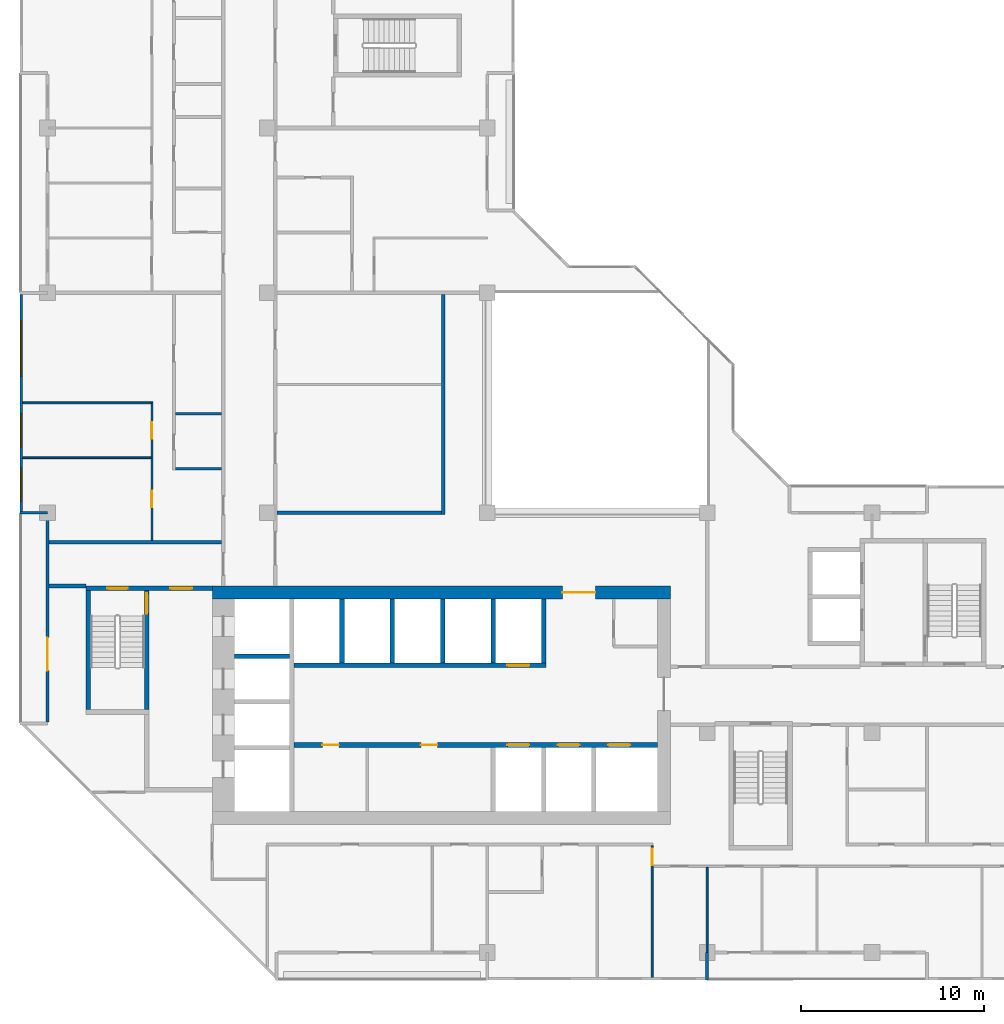
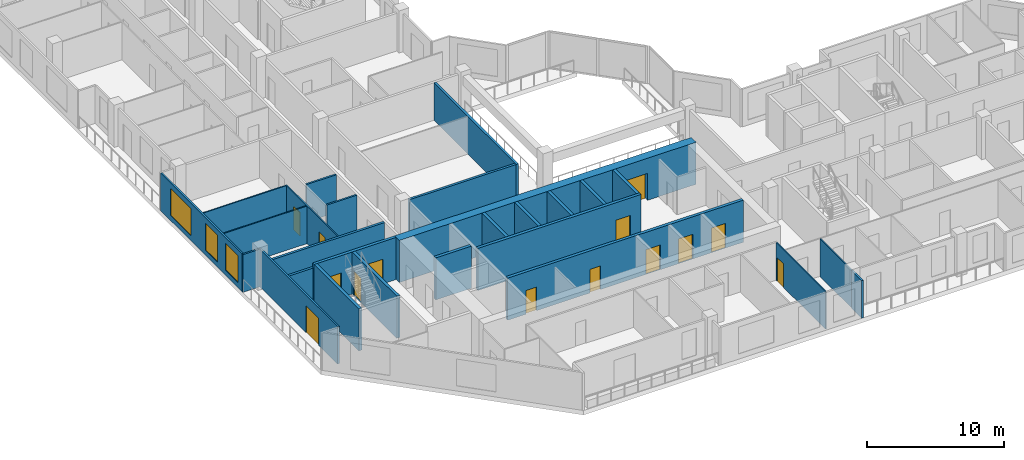
# One storey, part 5 of 14: 27 walls, 14 doors, 3 windows, 17 openings.
"""IFC4 building model written with IfcOpenShell, lengths in metres."""

from ifc_helpers import new_model, si_unit, direction, frame, frame_2d, origin, place, context, subcontext, project, spatial, rectangle, extrude, material, layer, layer_set, type_object, element, fill, save


model = new_model("IFC4")

# Units and contexts
model_context = context("Model", 3, precision=1e-05, world=origin(), true_north=direction((0.0, 1.0)))
body_context = subcontext(model_context, "Body", "Model", "MODEL_VIEW")
ifc_project = project(units=[si_unit("LENGTHUNIT", "METRE"), si_unit("AREAUNIT", "SQUARE_METRE"), si_unit("VOLUMEUNIT", "CUBIC_METRE"), si_unit("PLANEANGLEUNIT", "RADIAN"), si_unit("MASSUNIT", "GRAM", prefix="KILO")], contexts=[model_context])

# Site, building, storey
site_placement = place(None, origin())
site = spatial("IfcSite", under=ifc_project, at=site_placement, CompositionType="ELEMENT")
building_placement = place(site_placement, origin())
building = spatial("IfcBuilding", under=site, at=building_placement, Name="Chenar Terraces", CompositionType="ELEMENT")
storey_placement = place(building_placement, frame((0.0, 0.0, 230.39990234375)))
storey = spatial("IfcBuildingStorey", under=building, at=storey_placement, Name="L54", CompositionType="ELEMENT", Elevation=230.39990234375)

# Wall, openings, doors
ifc_material_1 = material(Name="Concrete C60/75", Category="concrete")
ifc_layer_1 = layer(ifc_material_1, 0.25)
ifc_layer_set_1 = layer_set([ifc_layer_1], Name="Concrete C60/75")
wall_type_1 = type_object("IfcWallType", Name="Core wall 250 Concrete C60/75", PredefinedType="SHEAR", material=ifc_layer_set_1)
wall_1_placement = place(storey_placement, frame((13.449951171875, 11.324951171875, 0.0), z_axis=(0.0, 0.0, 1.0), x_axis=(1.0, 0.0, 0.0)))
wall_1 = element("IfcWall", 1, at=wall_1_placement, inside=storey, type_object=wall_type_1, Name="Core wall SF L54", PredefinedType="SHEAR", context=body_context, shape_type="SweptSolid", body=[
    extrude(rectangle(XDim=19.85009765625, YDim=0.25, at=frame_2d((9.925048828125, 0.0))), origin(), (0.0, 0.0, 1.0), 3.75),
])
opening_1_placement = place(wall_1_placement, frame((11.64990234375, 0.0, 0.0)))
opening_1 = element("IfcOpeningElement", 2, at=opening_1_placement, cuts=wall_1, Name="Opening DL54-LD1", PredefinedType="OPENING", context=body_context, shape_type="SweptSolid", body=[
    extrude(rectangle(XDim=1.199951171875, YDim=2.199951171875, at=frame_2d((0.60009765625, 1.10009765625))), frame((0.0, 0.135009765625, 0.0), z_axis=(0.0, -1.0, 0.0), x_axis=(1.0, 0.0, 0.0)), (0.0, 0.0, 1.0), 0.27001953125),
])
opening_2_placement = place(wall_1_placement, frame((14.39990234375, 0.0, 0.0)))
opening_2 = element("IfcOpeningElement", 3, at=opening_2_placement, cuts=wall_1, Name="Opening DL54-LD2", PredefinedType="OPENING", context=body_context, shape_type="SweptSolid", body=[
    extrude(rectangle(XDim=1.199951171875, YDim=2.199951171875, at=frame_2d((0.60009765625, 1.10009765625))), frame((0.0, 0.135009765625, 0.0), z_axis=(0.0, -1.0, 0.0), x_axis=(1.0, 0.0, 0.0)), (0.0, 0.0, 1.0), 0.27001953125),
])
opening_3_placement = place(wall_1_placement, frame((17.14990234375, 0.0, 0.0)))
opening_3 = element("IfcOpeningElement", 4, at=opening_3_placement, cuts=wall_1, Name="Opening DL54-LD3", PredefinedType="OPENING", context=body_context, shape_type="SweptSolid", body=[
    extrude(rectangle(XDim=1.199951171875, YDim=2.199951171875, at=frame_2d((0.60009765625, 1.10009765625))), frame((0.0, 0.135009765625, 0.0), z_axis=(0.0, -1.0, 0.0), x_axis=(1.0, 0.0, 0.0)), (0.0, 0.0, 1.0), 0.27001953125),
])
opening_4_placement = place(wall_1_placement, frame((1.550048828125, 0.0, 0.0)))
opening_4 = element("IfcOpeningElement", 5, at=opening_4_placement, cuts=wall_1, Name="Opening DL54-C12", PredefinedType="OPENING", context=body_context, shape_type="SweptSolid", body=[
    extrude(rectangle(XDim=0.89990234375, YDim=2.10009765625, at=frame_2d((0.449951171875, 1.050048828125))), frame((0.0, 0.135009765625, 0.0), z_axis=(0.0, -1.0, 0.0), x_axis=(1.0, 0.0, 0.0)), (0.0, 0.0, 1.0), 0.27001953125),
])
opening_5_placement = place(wall_1_placement, frame((6.925048828125, 0.0, 0.0)))
opening_5 = element("IfcOpeningElement", 6, at=opening_5_placement, cuts=wall_1, Name="Opening DL54-C13", PredefinedType="OPENING", context=body_context, shape_type="SweptSolid", body=[
    extrude(rectangle(XDim=0.89990234375, YDim=2.10009765625, at=frame_2d((0.449951171875, 1.050048828125))), frame((0.0, 0.135009765625, 0.0), z_axis=(0.0, -1.0, 0.0), x_axis=(1.0, 0.0, 0.0)), (0.0, 0.0, 1.0), 0.27001953125),
])
ifc_material_2 = material(Name="Stainless steel", Category="steel")
door_type_1 = type_object("IfcDoorType", Name="Lift landing door 1200 x 2200 sliding", OperationType="DOUBLE_DOOR_SLIDING", PredefinedType="DOOR", material=ifc_material_2)
door_1_placement = place(opening_1_placement, origin())
door_1 = element("IfcDoor", 7, at=door_1_placement, inside=storey, type_object=door_type_1, Name="Landing door M1", OperationType="DOUBLE_DOOR_SLIDING", OverallHeight=2.199951171875, OverallWidth=1.199951171875, PredefinedType="DOOR", context=body_context, shape_type="SweptSolid", body=[
    extrude(rectangle(XDim=1.199951171875, YDim=2.199951171875, at=frame_2d((0.60009765625, 1.10009765625))), frame((0.0, 0.02490234375, 0.0), z_axis=(0.0, -1.0, 0.0), x_axis=(1.0, 0.0, 0.0)), (0.0, 0.0, 1.0), 0.050048828125),
])
fill(opening_1, door_1)
door_2_placement = place(opening_2_placement, origin())
door_2 = element("IfcDoor", 8, at=door_2_placement, inside=storey, type_object=door_type_1, Name="Landing door M2", OperationType="DOUBLE_DOOR_SLIDING", OverallHeight=2.199951171875, OverallWidth=1.199951171875, PredefinedType="DOOR", context=body_context, shape_type="SweptSolid", body=[
    extrude(rectangle(XDim=1.199951171875, YDim=2.199951171875, at=frame_2d((0.60009765625, 1.10009765625))), frame((0.0, 0.02490234375, 0.0), z_axis=(0.0, -1.0, 0.0), x_axis=(1.0, 0.0, 0.0)), (0.0, 0.0, 1.0), 0.050048828125),
])
fill(opening_2, door_2)
door_3_placement = place(opening_3_placement, origin())
door_3 = element("IfcDoor", 9, at=door_3_placement, inside=storey, type_object=door_type_1, Name="Landing door M3", OperationType="DOUBLE_DOOR_SLIDING", OverallHeight=2.199951171875, OverallWidth=1.199951171875, PredefinedType="DOOR", context=body_context, shape_type="SweptSolid", body=[
    extrude(rectangle(XDim=1.199951171875, YDim=2.199951171875, at=frame_2d((0.60009765625, 1.10009765625))), frame((0.0, 0.02490234375, 0.0), z_axis=(0.0, -1.0, 0.0), x_axis=(1.0, 0.0, 0.0)), (0.0, 0.0, 1.0), 0.050048828125),
])
fill(opening_3, door_3)
ifc_material_3 = material(Name="Steel-framed fire-resisting door leaf", Category="steel")
door_type_2 = type_object("IfcDoorType", Name="Riser fire door FD60 900 x 2100", OperationType="SINGLE_SWING_LEFT", PredefinedType="DOOR", material=ifc_material_3)
door_4_placement = place(opening_4_placement, frame((0.89990234375, 0.0, 0.0), z_axis=(0.0, 0.0, 1.0), x_axis=(-1.0, 0.0, 0.0)))
door_4 = element("IfcDoor", 10, at=door_4_placement, inside=storey, type_object=door_type_2, Name="Core room door DL54-C12", OperationType="SINGLE_SWING_LEFT", OverallHeight=2.10009765625, OverallWidth=0.89990234375, PredefinedType="DOOR", context=body_context, shape_type="SweptSolid", body=[
    extrude(rectangle(XDim=0.89990234375, YDim=2.10009765625, at=frame_2d((0.449951171875, 1.050048828125))), frame((0.0, 0.02490234375, 0.0), z_axis=(0.0, -1.0, 0.0), x_axis=(1.0, 0.0, 0.0)), (0.0, 0.0, 1.0), 0.050048828125),
])
fill(opening_4, door_4)
door_5_placement = place(opening_5_placement, frame((0.89990234375, 0.0, 0.0), z_axis=(0.0, 0.0, 1.0), x_axis=(-1.0, 0.0, 0.0)))
door_5 = element("IfcDoor", 11, at=door_5_placement, inside=storey, type_object=door_type_2, Name="Core room door DL54-C13", OperationType="SINGLE_SWING_RIGHT", OverallHeight=2.10009765625, OverallWidth=0.89990234375, PredefinedType="DOOR", context=body_context, shape_type="SweptSolid", body=[
    extrude(rectangle(XDim=0.89990234375, YDim=2.10009765625, at=frame_2d((0.449951171875, 1.050048828125))), frame((0.0, 0.02490234375, 0.0), z_axis=(0.0, -1.0, 0.0), x_axis=(1.0, 0.0, 0.0)), (0.0, 0.0, 1.0), 0.050048828125),
])
fill(opening_5, door_5)

# Wall, opening, door
wall_2_placement = place(storey_placement, frame((13.449951171875, 15.675048828125, 0.0), z_axis=(0.0, 0.0, 1.0), x_axis=(1.0, 0.0, 0.0)))
wall_2 = element("IfcWall", 12, at=wall_2_placement, inside=storey, type_object=wall_type_1, Name="Core wall NF L54", PredefinedType="SHEAR", context=body_context, shape_type="SweptSolid", body=[
    extrude(rectangle(XDim=13.75, YDim=0.25, at=frame_2d((6.875, 0.0))), origin(), (0.0, 0.0, 1.0), 3.75),
])
opening_6_placement = place(wall_2_placement, frame((11.64990234375, 0.0, 0.0)))
opening_6 = element("IfcOpeningElement", 13, at=opening_6_placement, cuts=wall_2, Name="Opening DL54-LD4", PredefinedType="OPENING", context=body_context, shape_type="SweptSolid", body=[
    extrude(rectangle(XDim=1.199951171875, YDim=2.199951171875, at=frame_2d((0.60009765625, 1.10009765625))), frame((0.0, 0.135009765625, 0.0), z_axis=(0.0, -1.0, 0.0), x_axis=(1.0, 0.0, 0.0)), (0.0, 0.0, 1.0), 0.27001953125),
])
door_6_placement = place(opening_6_placement, origin())
door_6 = element("IfcDoor", 14, at=door_6_placement, inside=storey, type_object=door_type_1, Name="Landing door M4", OperationType="DOUBLE_DOOR_SLIDING", OverallHeight=2.199951171875, OverallWidth=1.199951171875, PredefinedType="DOOR", context=body_context, shape_type="SweptSolid", body=[
    extrude(rectangle(XDim=1.199951171875, YDim=2.199951171875, at=frame_2d((0.60009765625, 1.10009765625))), frame((0.0, 0.02490234375, 0.0), z_axis=(0.0, -1.0, 0.0), x_axis=(1.0, 0.0, 0.0)), (0.0, 0.0, 1.0), 0.050048828125),
])
fill(opening_6, door_6)

# Walls
wall_3_placement = place(storey_placement, frame((10.199951171875, 16.175048828125, 0.0), z_axis=(0.0, 0.0, 1.0), x_axis=(1.0, 0.0, 0.0)))
element("IfcWall", 15, at=wall_3_placement, inside=storey, type_object=wall_type_1, Name="Core wall HW2 L54", PredefinedType="SHEAR", context=body_context, shape_type="SweptSolid", body=[
    extrude(rectangle(XDim=3.0, YDim=0.25, at=frame_2d((1.5, 0.0))), origin(), (0.0, 0.0, 1.0), 3.75),
])
for number, where, z_axis, x_axis, name in (
    (16, (16.074951171875, 15.800048828125, 0.0), (0.0, 0.0, 1.0), (0.0, 1.0, 0.0), "Core wall NS0 L54"),
    (17, (18.824951171875, 15.800048828125, 0.0), (0.0, 0.0, 1.0), (0.0, 1.0, 0.0), "Core wall NS1 L54"),
    (18, (21.574951171875, 15.800048828125, 0.0), (0.0, 0.0, 1.0), (0.0, 1.0, 0.0), "Core wall NS2 L54"),
    (19, (24.324951171875, 15.800048828125, 0.0), (0.0, 0.0, 1.0), (0.0, 1.0, 0.0), "Core wall NS3 L54"),
    (20, (27.074951171875, 15.800048828125, 0.0), (0.0, 0.0, 1.0), (0.0, 1.0, 0.0), "Core wall NE L54"),
):
    element("IfcWall", number, at=place(storey_placement, frame(where, z_axis=z_axis, x_axis=x_axis)), inside=storey, type_object=wall_type_1, Name=name, PredefinedType="SHEAR", context=body_context, shape_type="SweptSolid", body=[
        extrude(rectangle(XDim=3.5, YDim=0.25, at=frame_2d((1.75, 0.0))), origin(), (0.0, 0.0, 1.0), 3.75),
    ])

# Wall, openings, doors
wall_4_placement = place(storey_placement, frame((2.10009765625, 19.875, 0.0), z_axis=(0.0, 0.0, 1.0), x_axis=(1.0, 0.0, 0.0)))
wall_4 = element("IfcWall", 21, at=wall_4_placement, inside=storey, type_object=wall_type_1, Name="Core wall A_N L54", PredefinedType="SHEAR", context=body_context, shape_type="SweptSolid", body=[
    extrude(rectangle(XDim=6.89990234375, YDim=0.25, at=frame_2d((3.449951171875, 0.0))), origin(), (0.0, 0.0, 1.0), 3.75),
])
opening_7_placement = place(wall_4_placement, frame((1.175048828125, 0.0, 0.0)))
opening_7 = element("IfcOpeningElement", 22, at=opening_7_placement, cuts=wall_4, Name="Opening DL54-C5", PredefinedType="OPENING", context=body_context, shape_type="SweptSolid", body=[
    extrude(rectangle(XDim=1.10009765625, YDim=2.199951171875, at=frame_2d((0.550048828125, 1.10009765625))), frame((0.0, 0.135009765625, 0.0), z_axis=(0.0, -1.0, 0.0), x_axis=(1.0, 0.0, 0.0)), (0.0, 0.0, 1.0), 0.27001953125),
])
opening_8_placement = place(wall_4_placement, frame((4.60009765625, 0.0, 0.0)))
opening_8 = element("IfcOpeningElement", 23, at=opening_8_placement, cuts=wall_4, Name="Opening DL54-C6", PredefinedType="OPENING", context=body_context, shape_type="SweptSolid", body=[
    extrude(rectangle(XDim=1.199951171875, YDim=2.199951171875, at=frame_2d((0.60009765625, 1.10009765625))), frame((0.0, 0.135009765625, 0.0), z_axis=(0.0, -1.0, 0.0), x_axis=(1.0, 0.0, 0.0)), (0.0, 0.0, 1.0), 0.27001953125),
])
ifc_material_4 = material(Name="Steel-framed fire-resisting door leaf", Category="steel")
door_type_3 = type_object("IfcDoorType", Name="Lobby fire door FD60 1200 x 2200", OperationType="SINGLE_SWING_LEFT", PredefinedType="DOOR", material=ifc_material_4)
door_7_placement = place(opening_8_placement, frame((1.199951171875, 0.0, 0.0), z_axis=(0.0, 0.0, 1.0), x_axis=(-1.0, 0.0, 0.0)))
door_7 = element("IfcDoor", 24, at=door_7_placement, inside=storey, type_object=door_type_3, Name="Core door DL54-C6", OperationType="SINGLE_SWING_LEFT", OverallHeight=2.199951171875, OverallWidth=1.199951171875, PredefinedType="DOOR", context=body_context, shape_type="SweptSolid", body=[
    extrude(rectangle(XDim=1.199951171875, YDim=2.199951171875, at=frame_2d((0.60009765625, 1.10009765625))), frame((0.0, 0.02490234375, 0.0), z_axis=(0.0, -1.0, 0.0), x_axis=(1.0, 0.0, 0.0)), (0.0, 0.0, 1.0), 0.050048828125),
])
fill(opening_8, door_7)
ifc_material_5 = material(Name="Steel-framed fire-resisting door leaf", Category="steel")
door_type_4 = type_object("IfcDoorType", Name="Stair fire door FD60 1100 x 2200", OperationType="SINGLE_SWING_LEFT", PredefinedType="DOOR", material=ifc_material_5)
door_8_placement = place(opening_7_placement, origin())
door_8 = element("IfcDoor", 25, at=door_8_placement, inside=storey, type_object=door_type_4, Name="Stair door DL54-C5", OperationType="SINGLE_SWING_LEFT", OverallHeight=2.199951171875, OverallWidth=1.10009765625, PredefinedType="DOOR", context=body_context, shape_type="SweptSolid", body=[
    extrude(rectangle(XDim=1.10009765625, YDim=2.199951171875, at=frame_2d((0.550048828125, 1.10009765625))), frame((0.0, 0.02490234375, 0.0), z_axis=(0.0, -1.0, 0.0), x_axis=(1.0, 0.0, 0.0)), (0.0, 0.0, 1.0), 0.050048828125),
])
fill(opening_7, door_8)

# Wall
wall_5_placement = place(storey_placement, frame((2.22509765625, 13.25, 0.0), z_axis=(0.0, 0.0, 1.0), x_axis=(0.0, 1.0, 0.0)))
element("IfcWall", 26, at=wall_5_placement, inside=storey, type_object=wall_type_1, Name="Core wall ST1_W L54", PredefinedType="SHEAR", context=body_context, shape_type="SweptSolid", body=[
    extrude(rectangle(XDim=6.5, YDim=0.25, at=frame_2d((3.25, 0.0))), origin(), (0.0, 0.0, 1.0), 3.75),
])

# Wall, opening, door
wall_6_placement = place(storey_placement, frame((5.425048828125, 13.25, 0.0), z_axis=(0.0, 0.0, 1.0), x_axis=(0.0, 1.0, 0.0)))
wall_6 = element("IfcWall", 27, at=wall_6_placement, inside=storey, type_object=wall_type_1, Name="Core wall ST1_E L54", PredefinedType="SHEAR", context=body_context, shape_type="SweptSolid", body=[
    extrude(rectangle(XDim=6.5, YDim=0.25, at=frame_2d((3.25, 0.0))), origin(), (0.0, 0.0, 1.0), 3.75),
])
opening_9_placement = place(wall_6_placement, frame((5.25, 0.0, 0.0)))
opening_9 = element("IfcOpeningElement", 28, at=opening_9_placement, cuts=wall_6, Name="Opening DL54-C3", PredefinedType="OPENING", context=body_context, shape_type="SweptSolid", body=[
    extrude(rectangle(XDim=1.10009765625, YDim=2.199951171875, at=frame_2d((0.550048828125, 1.10009765625))), frame((0.0, 0.135009765625, 0.0), z_axis=(0.0, -1.0, 0.0), x_axis=(1.0, 0.0, 0.0)), (0.0, 0.0, 1.0), 0.27001953125),
])
door_9_placement = place(opening_9_placement, origin())
door_9 = element("IfcDoor", 29, at=door_9_placement, inside=storey, type_object=door_type_4, Name="Stair door DL54-C3", OperationType="SINGLE_SWING_RIGHT", OverallHeight=2.199951171875, OverallWidth=1.10009765625, PredefinedType="DOOR", context=body_context, shape_type="SweptSolid", body=[
    extrude(rectangle(XDim=1.10009765625, YDim=2.199951171875, at=frame_2d((0.550048828125, 1.10009765625))), frame((0.0, 0.02490234375, 0.0), z_axis=(0.0, -1.0, 0.0), x_axis=(1.0, 0.0, 0.0)), (0.0, 0.0, 1.0), 0.050048828125),
])
fill(opening_9, door_9)

ifc_material_6 = material(Name="Concrete C60/75", Category="concrete")
ifc_layer_2 = layer(ifc_material_6, 0.699951171875)
ifc_layer_set_2 = layer_set([ifc_layer_2], Name="Concrete C60/75")
wall_type_2 = type_object("IfcWallType", Name="Core wall 700 Concrete C60/75", PredefinedType="SHEAR", material=ifc_layer_set_2)
wall_7_placement = place(storey_placement, frame((9.0, 19.64990234375, 0.0), z_axis=(0.0, 0.0, 1.0), x_axis=(1.0, 0.0, 0.0)))
wall_7 = element("IfcWall", 30, at=wall_7_placement, inside=storey, type_object=wall_type_2, Name="Core wall N L54", PredefinedType="SHEAR", context=body_context, shape_type="SweptSolid", body=[
    extrude(rectangle(XDim=25.0, YDim=0.699951171875, at=frame_2d((12.5, 0.0))), origin(), (0.0, 0.0, 1.0), 3.75),
])
opening_10_placement = place(wall_7_placement, frame((19.10009765625, 0.0, 0.0)))
opening_10 = element("IfcOpeningElement", 31, at=opening_10_placement, cuts=wall_7, Name="Opening DL54-C2", PredefinedType="OPENING", context=body_context, shape_type="SweptSolid", body=[
    extrude(rectangle(XDim=1.800048828125, YDim=2.39990234375, at=frame_2d((0.89990234375, 1.199951171875))), frame((0.0, 0.35986328125, 0.0), z_axis=(0.0, -1.0, 0.0), x_axis=(1.0, 0.0, 0.0)), (0.0, 0.0, 1.0), 0.719970703125),
])
ifc_material_7 = material(Name="Steel-framed fire-resisting door leaf", Category="steel")
door_type_5 = type_object("IfcDoorType", Name="Core entrance double fire door FD60 1800 x 2400", OperationType="DOUBLE_DOOR_SINGLE_SWING", PredefinedType="DOOR", material=ifc_material_7)
door_10_placement = place(opening_10_placement, frame((1.800048828125, 0.0, 0.0), z_axis=(0.0, 0.0, 1.0), x_axis=(-1.0, 0.0, 0.0)))
door_10 = element("IfcDoor", 32, at=door_10_placement, inside=storey, type_object=door_type_5, Name="Core door DL54-C2", OperationType="DOUBLE_DOOR_SINGLE_SWING", OverallHeight=2.39990234375, OverallWidth=1.800048828125, PredefinedType="DOOR", context=body_context, shape_type="SweptSolid", body=[
    extrude(rectangle(XDim=1.800048828125, YDim=2.39990234375, at=frame_2d((0.89990234375, 1.199951171875))), frame((0.0, 0.02490234375, 0.0), z_axis=(0.0, -1.0, 0.0), x_axis=(1.0, 0.0, 0.0)), (0.0, 0.0, 1.0), 0.050048828125),
])
fill(opening_10, door_10)

# Walls
ifc_material_8 = material(Name="Gypsum board on steel studs with fire boards", Category="steel")
ifc_layer_3 = layer(ifc_material_8, 0.199951171875)
ifc_layer_set_3 = layer_set([ifc_layer_3], Name="Gypsum board on steel studs with fire boards")
wall_type_3 = type_object("IfcWallType", Name="Corridor wall 200", PredefinedType="PARTITIONING", material=ifc_layer_set_3)
wall_8_placement = place(storey_placement, frame((0.073974609375, 20.0, 0.0), z_axis=(0.0, 0.0, 1.0), x_axis=(1.0, 0.0, 0.0)))
element("IfcWall", 33, at=wall_8_placement, inside=storey, type_object=wall_type_3, Name="Partition L54-007", PredefinedType="PARTITIONING", context=body_context, shape_type="SweptSolid", body=[
    extrude(rectangle(XDim=2.026123046875, YDim=0.199951171875, at=frame_2d((1.01318359375, 0.0))), origin(), (0.0, 0.0, 1.0), 3.35009765625),
])
wall_9_placement = place(storey_placement, frame((0.073974609375, 22.39990234375, 0.0), z_axis=(0.0, 0.0, 1.0), x_axis=(1.0, 0.0, 0.0)))
element("IfcWall", 34, at=wall_9_placement, inside=storey, type_object=wall_type_3, Name="Partition L54-008", PredefinedType="PARTITIONING", context=body_context, shape_type="SweptSolid", body=[
    extrude(rectangle(XDim=9.426025390625, YDim=0.199951171875, at=frame_2d((4.712890625, 0.0))), origin(), (0.0, 0.0, 1.0), 3.35009765625),
])
wall_10_placement = place(storey_placement, frame((12.52490234375, 24.0, 0.0), z_axis=(0.0, 0.0, 1.0), x_axis=(1.0, 0.0, 0.0)))
element("IfcWall", 35, at=wall_10_placement, inside=storey, type_object=wall_type_3, Name="Partition L54-033", PredefinedType="PARTITIONING", context=body_context, shape_type="SweptSolid", body=[
    extrude(rectangle(XDim=8.97509765625, YDim=0.199951171875, at=frame_2d((4.487548828125, 0.0))), origin(), (0.0, 0.0, 1.0), 3.35009765625),
])
wall_11_placement = place(storey_placement, frame((21.60009765625, 23.89990234375, 0.0), z_axis=(0.0, 0.0, 1.0), x_axis=(0.0, 1.0, 0.0)))
element("IfcWall", 36, at=wall_11_placement, inside=storey, type_object=wall_type_3, Name="Partition L54-051", PredefinedType="PARTITIONING", context=body_context, shape_type="SweptSolid", body=[
    extrude(rectangle(XDim=12.0, YDim=0.199951171875, at=frame_2d((6.0, 0.0))), origin(), (0.0, 0.0, 1.0), 3.35009765625),
])

# Wall, openings, windows
ifc_material_9 = material(Name="Aluminium framed glazing", Category="aluminium")
ifc_layer_4 = layer(ifc_material_9, 0.14990234375)
ifc_layer_set_4 = layer_set([ifc_layer_4], Name="Aluminium framed glazing")
wall_type_4 = type_object("IfcWallType", Name="Glazed flush facade wall 150", PredefinedType="SOLIDWALL", material=ifc_layer_set_4)
wall_12_placement = place(storey_placement, frame((-1.425048828125, 35.925048828125, 0.0), z_axis=(0.0, 0.0, 1.0), x_axis=(0.0, -1.0, 0.0)))
wall_12 = element("IfcWall", 37, at=wall_12_placement, inside=storey, type_object=wall_type_4, Name="Glazed flush facade wall", PredefinedType="SOLIDWALL", context=body_context, shape_type="SweptSolid", body=[
    extrude(rectangle(XDim=11.85009765625, YDim=0.14990234375, at=frame_2d((5.925048828125, 0.0))), origin(), (0.0, 0.0, 1.0), 3.35009765625),
])
opening_11_placement = place(wall_12_placement, frame((1.46240234375, 0.0, 0.449951171875)))
opening_11 = element("IfcOpeningElement", 38, at=opening_11_placement, cuts=wall_12, Name="Opening W300x240", PredefinedType="OPENING", context=body_context, shape_type="SweptSolid", body=[
    extrude(rectangle(XDim=3.0, YDim=2.39990234375, at=frame_2d((1.5, 1.199951171875))), frame((0.0, 0.0849609375, 0.0), z_axis=(0.0, -1.0, 0.0), x_axis=(1.0, 0.0, 0.0)), (0.0, 0.0, 1.0), 0.169921875),
])
opening_12_placement = place(wall_12_placement, frame((6.52490234375, 0.0, 0.449951171875)))
opening_12 = element("IfcOpeningElement", 39, at=opening_12_placement, cuts=wall_12, Name="Opening W180x240", PredefinedType="OPENING", context=body_context, shape_type="SweptSolid", body=[
    extrude(rectangle(XDim=1.800048828125, YDim=2.39990234375, at=frame_2d((0.89990234375, 1.199951171875))), frame((0.0, 0.0849609375, 0.0), z_axis=(0.0, -1.0, 0.0), x_axis=(1.0, 0.0, 0.0)), (0.0, 0.0, 1.0), 0.169921875),
])
opening_13_placement = place(wall_12_placement, frame((9.487548828125, 0.0, 0.449951171875)))
opening_13 = element("IfcOpeningElement", 40, at=opening_13_placement, cuts=wall_12, Name="Opening W180x240", PredefinedType="OPENING", context=body_context, shape_type="SweptSolid", body=[
    extrude(rectangle(XDim=1.800048828125, YDim=2.39990234375, at=frame_2d((0.89990234375, 1.199951171875))), frame((0.0, 0.0849609375, 0.0), z_axis=(0.0, -1.0, 0.0), x_axis=(1.0, 0.0, 0.0)), (0.0, 0.0, 1.0), 0.169921875),
])
ifc_material_10 = material(Name="Low emissivity double glazing, aluminium frame", Category="aluminium")
window_type_1 = type_object("IfcWindowType", Name="Fixed light 1800 x 2400", PartitioningType="SINGLE_PANEL", PredefinedType="WINDOW", material=ifc_material_10)
window_1_placement = place(opening_12_placement, origin())
window_1 = element("IfcWindow", 41, at=window_1_placement, inside=storey, type_object=window_type_1, Name="Window", OverallHeight=2.39990234375, OverallWidth=1.800048828125, PartitioningType="SINGLE_PANEL", PredefinedType="WINDOW", context=body_context, shape_type="SweptSolid", body=[
    extrude(rectangle(XDim=1.800048828125, YDim=2.39990234375, at=frame_2d((0.89990234375, 1.199951171875))), frame((0.0, 0.030029296875, 0.0), z_axis=(0.0, -1.0, 0.0), x_axis=(1.0, 0.0, 0.0)), (0.0, 0.0, 1.0), 0.06005859375),
])
fill(opening_12, window_1)
window_2_placement = place(opening_13_placement, origin())
window_2 = element("IfcWindow", 42, at=window_2_placement, inside=storey, type_object=window_type_1, Name="Window", OverallHeight=2.39990234375, OverallWidth=1.800048828125, PartitioningType="SINGLE_PANEL", PredefinedType="WINDOW", context=body_context, shape_type="SweptSolid", body=[
    extrude(rectangle(XDim=1.800048828125, YDim=2.39990234375, at=frame_2d((0.89990234375, 1.199951171875))), frame((0.0, 0.030029296875, 0.0), z_axis=(0.0, -1.0, 0.0), x_axis=(1.0, 0.0, 0.0)), (0.0, 0.0, 1.0), 0.06005859375),
])
fill(opening_13, window_2)
ifc_material_11 = material(Name="Low emissivity double glazing, aluminium frame", Category="aluminium")
window_type_2 = type_object("IfcWindowType", Name="Fixed light 3000 x 2400", PartitioningType="SINGLE_PANEL", PredefinedType="WINDOW", material=ifc_material_11)
window_3_placement = place(opening_11_placement, origin())
window_3 = element("IfcWindow", 43, at=window_3_placement, inside=storey, type_object=window_type_2, Name="Window", OverallHeight=2.39990234375, OverallWidth=3.0, PartitioningType="SINGLE_PANEL", PredefinedType="WINDOW", context=body_context, shape_type="SweptSolid", body=[
    extrude(rectangle(XDim=3.0, YDim=2.39990234375, at=frame_2d((1.5, 1.199951171875))), frame((0.0, 0.030029296875, 0.0), z_axis=(0.0, -1.0, 0.0), x_axis=(1.0, 0.0, 0.0)), (0.0, 0.0, 1.0), 0.06005859375),
])
fill(opening_11, window_3)

# Wall, opening, door
ifc_material_12 = material(Name="Aluminium framed glazing", Category="aluminium")
ifc_layer_5 = layer(ifc_material_12, 0.14990234375)
ifc_layer_set_5 = layer_set([ifc_layer_5], Name="Aluminium framed glazing")
wall_type_5 = type_object("IfcWallType", Name="Glazed loggia back wall 150", PredefinedType="SOLIDWALL", material=ifc_layer_set_5)
wall_13_placement = place(storey_placement, frame((0.0, 23.925048828125, 0.0), z_axis=(0.0, 0.0, 1.0), x_axis=(0.0, -1.0, 0.0)))
wall_13 = element("IfcWall", 44, at=wall_13_placement, inside=storey, type_object=wall_type_5, Name="Glazed loggia back wall", PredefinedType="SOLIDWALL", context=body_context, shape_type="SweptSolid", body=[
    extrude(rectangle(XDim=11.35009765625, YDim=0.14990234375, at=frame_2d((5.675048828125, 0.0))), origin(), (0.0, 0.0, 1.0), 3.35009765625),
])
opening_14_placement = place(wall_13_placement, frame((6.737548828125, 0.0, 0.0)))
opening_14 = element("IfcOpeningElement", 45, at=opening_14_placement, cuts=wall_13, Name="Opening DL54-G4", PredefinedType="OPENING", context=body_context, shape_type="SweptSolid", body=[
    extrude(rectangle(XDim=1.800048828125, YDim=2.39990234375, at=frame_2d((0.89990234375, 1.199951171875))), frame((0.0, 0.0849609375, 0.0), z_axis=(0.0, -1.0, 0.0), x_axis=(1.0, 0.0, 0.0)), (0.0, 0.0, 1.0), 0.169921875),
])
ifc_material_13 = material(Name="Low emissivity double glazing, aluminium frame", Category="aluminium")
door_type_6 = type_object("IfcDoorType", Name="Loggia glazed double door 1800 x 2400", OperationType="DOUBLE_DOOR_SINGLE_SWING", PredefinedType="DOOR", material=ifc_material_13)
door_11_placement = place(opening_14_placement, frame((1.800048828125, 0.0, 0.0), z_axis=(0.0, 0.0, 1.0), x_axis=(-1.0, 0.0, 0.0)))
door_11 = element("IfcDoor", 46, at=door_11_placement, inside=storey, type_object=door_type_6, Name="Loggia glazed door", OperationType="DOUBLE_DOOR_SINGLE_SWING", OverallHeight=2.39990234375, OverallWidth=1.800048828125, PredefinedType="DOOR", context=body_context, shape_type="SweptSolid", body=[
    extrude(rectangle(XDim=1.800048828125, YDim=2.39990234375, at=frame_2d((0.89990234375, 1.199951171875))), frame((0.0, 0.02490234375, 0.0), z_axis=(0.0, -1.0, 0.0), x_axis=(1.0, 0.0, 0.0)), (0.0, 0.0, 1.0), 0.050048828125),
])
fill(opening_14, door_11)

# Walls
ifc_material_14 = material(Name="Gypsum board on steel studs", Category="steel")
ifc_layer_6 = layer(ifc_material_14, 0.10009765625)
ifc_layer_set_6 = layer_set([ifc_layer_6], Name="Gypsum board on steel studs")
wall_type_6 = type_object("IfcWallType", Name="Gypsum partition 100", PredefinedType="PARTITIONING", material=ifc_layer_set_6)
wall_14_placement = place(storey_placement, frame((-1.35107421875, 27.0, 0.0), z_axis=(0.0, 0.0, 1.0), x_axis=(1.0, 0.0, 0.0)))
element("IfcWall", 47, at=wall_14_placement, inside=storey, type_object=wall_type_6, Name="Partition L54-001", PredefinedType="PARTITIONING", context=body_context, shape_type="SweptSolid", body=[
    extrude(rectangle(XDim=7.0009765625, YDim=0.10009765625, at=frame_2d((3.50048828125, 0.0))), origin(), (0.0, 0.0, 1.0), 3.35009765625),
])
wall_15_placement = place(storey_placement, frame((-1.35009765625, 30.0, 0.0), z_axis=(0.0, 0.0, 1.0), x_axis=(1.0, 0.0, 0.0)))
element("IfcWall", 48, at=wall_15_placement, inside=storey, type_object=wall_type_6, Name="Partition L54-004", PredefinedType="PARTITIONING", context=body_context, shape_type="SweptSolid", body=[
    extrude(rectangle(XDim=7.0, YDim=0.10009765625, at=frame_2d((3.5, 0.0))), origin(), (0.0, 0.0, 1.0), 3.35009765625),
])

# Wall, openings, doors
wall_16_placement = place(storey_placement, frame((5.699951171875, 22.5, 0.0), z_axis=(0.0, 0.0, 1.0), x_axis=(0.0, 1.0, 0.0)))
wall_16 = element("IfcWall", 49, at=wall_16_placement, inside=storey, type_object=wall_type_6, Name="Partition L54-013", PredefinedType="PARTITIONING", context=body_context, shape_type="SweptSolid", body=[
    extrude(rectangle(XDim=7.550048828125, YDim=0.10009765625, at=frame_2d((3.77490234375, 0.0))), origin(), (0.0, 0.0, 1.0), 3.35009765625),
])
opening_15_placement = place(wall_16_placement, frame((1.800048828125, 0.0, 0.0)))
opening_15 = element("IfcOpeningElement", 50, at=opening_15_placement, cuts=wall_16, Name="Opening DL54-61", PredefinedType="OPENING", context=body_context, shape_type="SweptSolid", body=[
    extrude(rectangle(XDim=0.89990234375, YDim=2.10009765625, at=frame_2d((0.449951171875, 1.050048828125))), frame((0.0, 0.06005859375, 0.0), z_axis=(0.0, -1.0, 0.0), x_axis=(1.0, 0.0, 0.0)), (0.0, 0.0, 1.0), 0.1201171875),
])
opening_16_placement = place(wall_16_placement, frame((5.550048828125, 0.0, 0.0)))
opening_16 = element("IfcOpeningElement", 51, at=opening_16_placement, cuts=wall_16, Name="Opening DL54-62", PredefinedType="OPENING", context=body_context, shape_type="SweptSolid", body=[
    extrude(rectangle(XDim=0.89990234375, YDim=2.10009765625, at=frame_2d((0.449951171875, 1.050048828125))), frame((0.0, 0.06005859375, 0.0), z_axis=(0.0, -1.0, 0.0), x_axis=(1.0, 0.0, 0.0)), (0.0, 0.0, 1.0), 0.1201171875),
])
ifc_material_15 = material(Name="Veneered timber door leaf", Category="wood")
door_type_7 = type_object("IfcDoorType", Name="Door 900 x 2100", OperationType="SINGLE_SWING_LEFT", PredefinedType="DOOR", material=ifc_material_15)
door_12_placement = place(opening_15_placement, origin())
door_12 = element("IfcDoor", 52, at=door_12_placement, inside=storey, type_object=door_type_7, Name="Door DL54-61", OperationType="SINGLE_SWING_RIGHT", OverallHeight=2.10009765625, OverallWidth=0.89990234375, PredefinedType="DOOR", context=body_context, shape_type="SweptSolid", body=[
    extrude(rectangle(XDim=0.89990234375, YDim=2.10009765625, at=frame_2d((0.449951171875, 1.050048828125))), frame((0.0, 0.02490234375, 0.0), z_axis=(0.0, -1.0, 0.0), x_axis=(1.0, 0.0, 0.0)), (0.0, 0.0, 1.0), 0.050048828125),
])
fill(opening_15, door_12)
door_13_placement = place(opening_16_placement, origin())
door_13 = element("IfcDoor", 53, at=door_13_placement, inside=storey, type_object=door_type_7, Name="Door DL54-62", OperationType="SINGLE_SWING_RIGHT", OverallHeight=2.10009765625, OverallWidth=0.89990234375, PredefinedType="DOOR", context=body_context, shape_type="SweptSolid", body=[
    extrude(rectangle(XDim=0.89990234375, YDim=2.10009765625, at=frame_2d((0.449951171875, 1.050048828125))), frame((0.0, 0.02490234375, 0.0), z_axis=(0.0, -1.0, 0.0), x_axis=(1.0, 0.0, 0.0)), (0.0, 0.0, 1.0), 0.050048828125),
])
fill(opening_16, door_13)

# Wall, opening, door
wall_17_placement = place(storey_placement, frame((33.0, -1.35107421875, 0.0), z_axis=(0.0, 0.0, 1.0), x_axis=(0.0, 1.0, 0.0)))
wall_17 = element("IfcWall", 54, at=wall_17_placement, inside=storey, type_object=wall_type_6, Name="Partition L54-056", PredefinedType="PARTITIONING", context=body_context, shape_type="SweptSolid", body=[
    extrude(rectangle(XDim=7.176025390625, YDim=0.10009765625, at=frame_2d((3.587890625, 0.0))), origin(), (0.0, 0.0, 1.0), 3.35009765625),
])
opening_17_placement = place(wall_17_placement, frame((6.1259765625, 0.0, 0.0)))
opening_17 = element("IfcOpeningElement", 55, at=opening_17_placement, cuts=wall_17, Name="Opening DL54-46", PredefinedType="OPENING", context=body_context, shape_type="SweptSolid", body=[
    extrude(rectangle(XDim=0.89990234375, YDim=2.10009765625, at=frame_2d((0.449951171875, 1.050048828125))), frame((0.0, 0.06005859375, 0.0), z_axis=(0.0, -1.0, 0.0), x_axis=(1.0, 0.0, 0.0)), (0.0, 0.0, 1.0), 0.1201171875),
])
door_14_placement = place(opening_17_placement, origin())
door_14 = element("IfcDoor", 56, at=door_14_placement, inside=storey, type_object=door_type_7, Name="Door DL54-46", OperationType="SINGLE_SWING_RIGHT", OverallHeight=2.10009765625, OverallWidth=0.89990234375, PredefinedType="DOOR", context=body_context, shape_type="SweptSolid", body=[
    extrude(rectangle(XDim=0.89990234375, YDim=2.10009765625, at=frame_2d((0.449951171875, 1.050048828125))), frame((0.0, 0.02490234375, 0.0), z_axis=(0.0, -1.0, 0.0), x_axis=(1.0, 0.0, 0.0)), (0.0, 0.0, 1.0), 0.050048828125),
])
fill(opening_17, door_14)

# Walls
wall_18_placement = place(storey_placement, frame((36.0, 0.0, 0.0), z_axis=(0.0, 0.0, 1.0), x_axis=(0.0, 1.0, 0.0)))
element("IfcWall", 57, at=wall_18_placement, inside=storey, type_object=wall_type_6, Name="Partition L54-060", PredefinedType="PARTITIONING", context=body_context, shape_type="SweptSolid", body=[
    extrude(rectangle(XDim=4.64990234375, YDim=0.10009765625, at=frame_2d((2.324951171875, 0.0))), origin(), (0.0, 0.0, 1.0), 3.35009765625),
])
ifc_material_16 = material(Name="Terracotta cladding on insulated backing", Category="masonry")
ifc_layer_7 = layer(ifc_material_16, 0.14990234375)
ifc_layer_set_7 = layer_set([ifc_layer_7], Name="Terracotta cladding on insulated backing")
wall_type_7 = type_object("IfcWallType", Name="Loggia return wall 150", PredefinedType="SOLIDWALL", material=ifc_layer_set_7)
for number, where, z_axis, x_axis, name in (
    (58, (-1.5, 24.0, 0.0), (0.0, 0.0, 1.0), (1.0, 0.0, 0.0), "Loggia return wall"),
    (59, (36.0, -1.5, 0.0), (0.0, 0.0, 1.0), (0.0, 1.0, 0.0), "Loggia return wall"),
):
    element("IfcWall", number, at=place(storey_placement, frame(where, z_axis=z_axis, x_axis=x_axis)), inside=storey, type_object=wall_type_7, Name=name, PredefinedType="SOLIDWALL", context=body_context, shape_type="SweptSolid", body=[
        extrude(rectangle(XDim=1.5, YDim=0.14990234375, at=frame_2d((0.75, 0.0))), origin(), (0.0, 0.0, 1.0), 3.35009765625),
    ])
ifc_material_17 = material(Name="Moisture-resistant gypsum board on steel studs", Category="steel")
ifc_layer_8 = layer(ifc_material_17, 0.14990234375)
ifc_layer_set_8 = layer_set([ifc_layer_8], Name="Moisture-resistant gypsum board on steel studs")
wall_type_8 = type_object("IfcWallType", Name="Wet-room partition 150", PredefinedType="PARTITIONING", material=ifc_layer_set_8)
for number, where, z_axis, x_axis, name in (
    (60, (6.97509765625, 26.39990234375, 0.0), (0.0, 0.0, 1.0), (1.0, 0.0, 0.0), "Partition L54-017"),
    (61, (6.97509765625, 29.39990234375, 0.0), (0.0, 0.0, 1.0), (1.0, 0.0, 0.0), "Partition L54-018"),
):
    element("IfcWall", number, at=place(storey_placement, frame(where, z_axis=z_axis, x_axis=x_axis)), inside=storey, type_object=wall_type_8, Name=name, PredefinedType="PARTITIONING", context=body_context, shape_type="SweptSolid", body=[
        extrude(rectangle(XDim=2.52490234375, YDim=0.14990234375, at=frame_2d((1.262451171875, 0.0))), origin(), (0.0, 0.0, 1.0), 3.35009765625),
    ])

save(model, "model.ifc")
